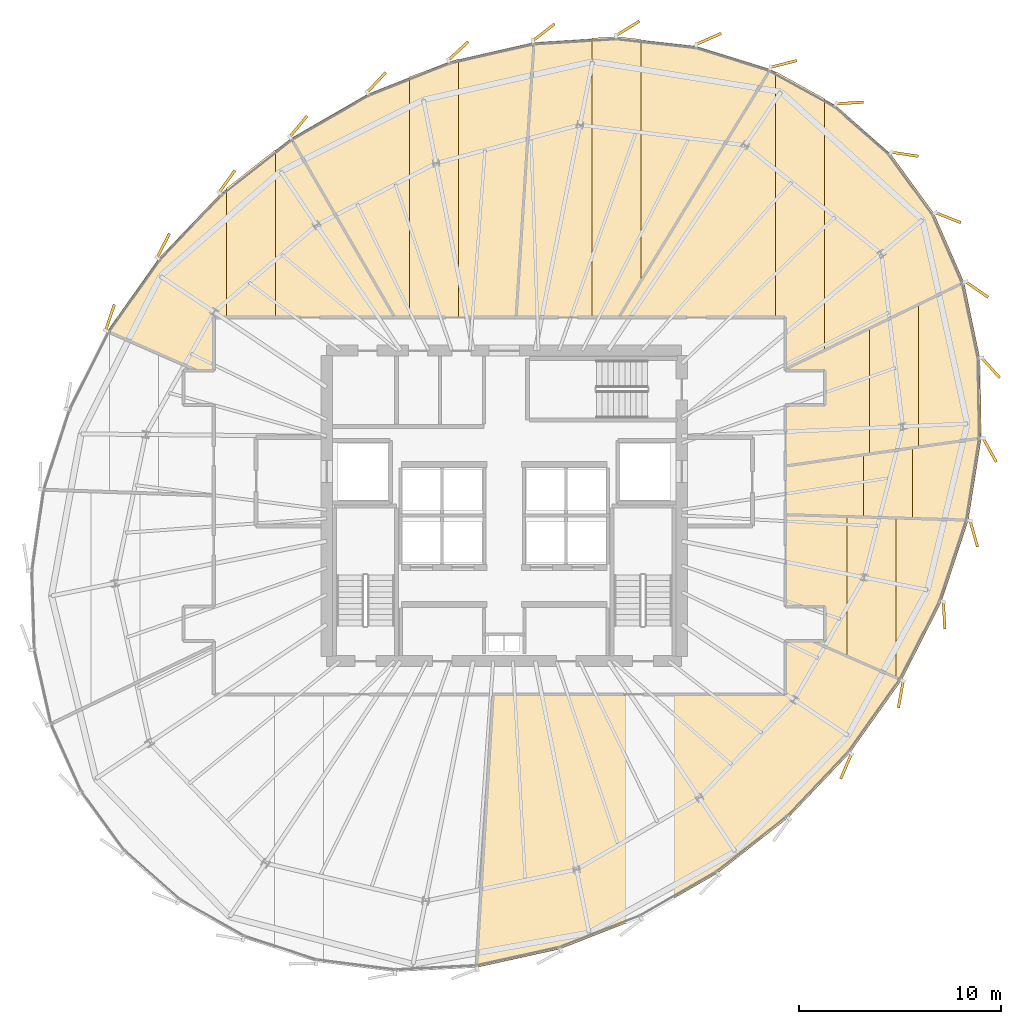
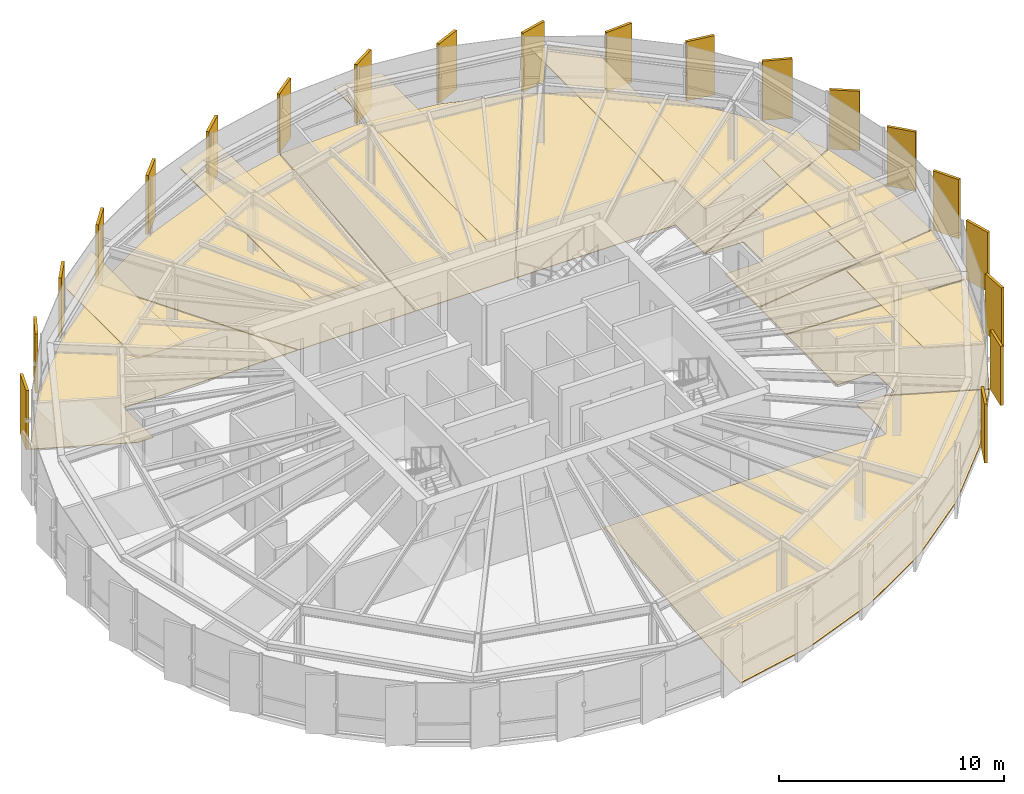
# One storey, part 35 of 35: 35 coverings.
"""IFC4 building model written with IfcOpenShell, lengths in metres."""

from ifc_helpers import new_model, si_unit, direction, frame, origin, origin_2d, place, context, subcontext, project, spatial, polyline, rectangle, outline, extrude, source, transform, mapped, material, layer, layer_set, type_object, element, save


model = new_model("IFC4")

# Units and contexts
model_context = context("Model", 3, precision=1e-05, world=origin(), true_north=direction((0.0, 1.0)))
body_context = subcontext(model_context, "Body", "Model", "MODEL_VIEW")
ifc_project = project(units=[si_unit("LENGTHUNIT", "METRE"), si_unit("AREAUNIT", "SQUARE_METRE"), si_unit("VOLUMEUNIT", "CUBIC_METRE"), si_unit("PLANEANGLEUNIT", "RADIAN"), si_unit("MASSUNIT", "GRAM", prefix="KILO"), si_unit("THERMODYNAMICTEMPERATUREUNIT", "KELVIN")], contexts=[model_context])

# Site, building, storey
site_placement = place(None, origin())
site = spatial("IfcSite", under=ifc_project, at=site_placement, CompositionType="ELEMENT")
building_placement = place(site_placement, origin())
building = spatial("IfcBuilding", under=site, at=building_placement, Name="Kethvar Cultural Tower", CompositionType="ELEMENT")
storey_placement = place(building_placement, frame((0.0, 0.0, 204.39990234375)))
storey = spatial("IfcBuildingStorey", under=building, at=storey_placement, Name="L53", CompositionType="ELEMENT", Elevation=204.39990234375)

# Coverings
ifc_material_1 = material(Name="Acoustic Mineral Fibre Ceiling")
ifc_layer_1 = layer(ifc_material_1, 0.0400390625, Name="Acoustic Mineral Fibre Ceiling")
ifc_layer_set_1 = layer_set([ifc_layer_1], Name="Acoustic Mineral Fibre Ceiling (40 mm)")
covering_type_1 = type_object("IfcCoveringType", Name="CV-ACOUSTIC-CEIL", PredefinedType="CEILING", material=ifc_layer_set_1)
covering_1_placement = place(storey_placement, frame((0.0, 0.0, 2.4501953125)))
element("IfcCovering", 1, at=covering_1_placement, inside=storey, type_object=covering_type_1, Name="L53 Room 03 Acoustic Ceiling Panel", PredefinedType="CEILING", context=body_context, shape_type="SweptSolid", body=[
    extrude(outline(polyline([(63.804443359375, 20.31640625), (63.804443359375, 27.284912109375), (66.234375, 27.20849609375), (66.234375, 19.25), (63.804443359375, 20.31640625)])), origin(), (0.0, 0.0, 1.0), 0.039794921875),
])
covering_2_placement = place(storey_placement, frame((0.0, 0.0, 2.4501953125)))
element("IfcCovering", 2, at=covering_2_placement, inside=storey, type_object=covering_type_1, Name="L53 Room 04 Acoustic Ceiling Panel", PredefinedType="CEILING", context=body_context, shape_type="SweptSolid", body=[
    extrude(outline(polyline([(64.62451171875, 27.21923828125), (64.62451171875, 30.343017578125), (67.0546875, 30.68701171875), (67.0546875, 27.142578125), (64.62451171875, 27.21923828125)])), origin(), (0.0, 0.0, 1.0), 0.039794921875),
])
covering_3_placement = place(storey_placement, frame((0.0, 0.0, 2.4501953125)))
element("IfcCovering", 3, at=covering_3_placement, inside=storey, type_object=covering_type_1, Name="L53 Room 05 Acoustic Ceiling Panel", PredefinedType="CEILING", context=body_context, shape_type="SweptSolid", body=[
    extrude(outline(polyline([(64.901611328125, 30.341796875), (64.901611328125, 36.61474609375), (67.331787109375, 37.795166015625), (67.331787109375, 30.685791015625), (64.901611328125, 30.341796875)])), origin(), (0.0, 0.0, 1.0), 0.039794921875),
])
covering_4_placement = place(storey_placement, frame((0.0, 0.0, 2.4501953125)))
element("IfcCovering", 4, at=covering_4_placement, inside=storey, type_object=covering_type_1, Name="L53 Room 06 Acoustic Ceiling Panel", PredefinedType="CEILING", context=body_context, shape_type="SweptSolid", body=[
    extrude(outline(polyline([(60.7587890625, 34.55810546875), (60.72998046875, 37.1298828125), (60.2421875, 37.1298828125), (60.2421875, 49.339599609375), (62.672119140625, 47.993896484375), (62.672119140625, 35.4873046875), (60.7587890625, 34.55810546875)])), origin(), (0.0, 0.0, 1.0), 0.039794921875),
])
covering_5_placement = place(storey_placement, frame((0.0, 0.0, 2.4501953125)))
element("IfcCovering", 5, at=covering_5_placement, inside=storey, type_object=covering_type_1, Name="L53 Room 07 Acoustic Ceiling Panel", PredefinedType="CEILING", context=body_context, shape_type="SweptSolid", body=[
    extrude(outline(polyline([(52.362060546875, 51.0634765625), (53.5751953125, 50.927734375), (53.5751953125, 38.90185546875), (52.498046875, 37.1337890625), (51.145263671875, 37.1298828125), (51.145263671875, 50.987060546875), (52.362060546875, 51.0634765625)])), origin(), (0.0, 0.0, 1.0), 0.039794921875),
])
covering_6_placement = place(storey_placement, frame((0.0, 0.0, 2.4501953125)))
element("IfcCovering", 6, at=covering_6_placement, inside=storey, type_object=covering_type_1, Name="L53 Room 08 Acoustic Ceiling Panel", PredefinedType="CEILING", context=body_context, shape_type="SweptSolid", body=[
    extrude(outline(polyline([(42.10107421875, 49.06982421875), (44.531005859375, 49.95751953125), (44.531005859375, 37.1298828125), (42.10107421875, 37.1298828125), (42.10107421875, 49.06982421875)])), origin(), (0.0, 0.0, 1.0), 0.039794921875),
])
covering_7_placement = place(storey_placement, frame((0.0, 0.0, 2.4501953125)))
element("IfcCovering", 7, at=covering_7_placement, inside=storey, type_object=covering_type_1, Name="L53 Room 09 Acoustic Ceiling Panel", PredefinedType="CEILING", context=body_context, shape_type="SweptSolid", body=[
    extrude(outline(polyline([(35.466064453125, 45.46240234375), (35.466064453125, 37.1298828125), (33.0361328125, 37.1298828125), (33.0361328125, 43.550048828125), (35.466064453125, 45.46240234375)])), origin(), (0.0, 0.0, 1.0), 0.039794921875),
])
ifc_material_2 = material(Name="Honed Warm Limestone", Category="masonry")
ifc_layer_2 = layer(ifc_material_2, 0.030029296875, Name="Honed Warm Limestone", Category="masonry")
ifc_layer_set_2 = layer_set([ifc_layer_2], Name="Honed Warm Limestone (30 mm)")
covering_type_2 = type_object("IfcCoveringType", Name="CV-STONE-FLOOR", PredefinedType="FLOORING", material=ifc_layer_set_2)
covering_8_placement = place(storey_placement, origin())
element("IfcCovering", 8, at=covering_8_placement, inside=storey, type_object=covering_type_2, Name="L53 Room 02 Floor Finish", PredefinedType="FLOORING", context=body_context, shape_type="SweptSolid", body=[
    extrude(outline(polyline([(63.933349609375, 15.55908203125), (60.86767578125, 12.33984375), (57.3779296875, 9.593994140625), (53.56689453125, 7.401611328125), (49.55029296875, 5.8291015625), (45.474365234375, 4.9296875), (46.268798828125, 18.429931640625), (60.75390625, 18.430419921875), (60.77001953125, 21.080078125), (62.064208984375, 21.080078125), (66.47802734375, 19.143310546875), (63.933349609375, 15.55908203125)])), origin(), (0.0, 0.0, 1.0), 0.030029296875),
])
covering_9_placement = place(storey_placement, origin())
element("IfcCovering", 9, at=covering_9_placement, inside=storey, type_object=covering_type_2, Name="L53 Room 03 Floor Finish", PredefinedType="FLOORING", context=body_context, shape_type="SweptSolid", body=[
    extrude(outline(polyline([(68.466796875, 23.0419921875), (66.499267578125, 19.177490234375), (62.163818359375, 21.080078125), (62.718994140625, 21.09423828125), (62.715576171875, 22.812744140625), (60.77001953125, 22.820068359375), (60.77001953125, 27.340576171875), (69.791259765625, 27.056640625), (68.466796875, 23.0419921875)])), origin(), (0.0, 0.0, 1.0), 0.030029296875),
])
covering_10_placement = place(storey_placement, origin())
element("IfcCovering", 10, at=covering_10_placement, inside=storey, type_object=covering_type_2, Name="L53 Room 04 Floor Finish", PredefinedType="FLOORING", context=body_context, shape_type="SweptSolid", body=[
    extrude(outline(polyline([(69.8017578125, 27.09619140625), (60.77001953125, 27.380615234375), (60.77001953125, 29.757080078125), (70.439697265625, 31.125732421875), (69.8017578125, 27.09619140625)])), origin(), (0.0, 0.0, 1.0), 0.030029296875),
])
covering_11_placement = place(storey_placement, origin())
element("IfcCovering", 11, at=covering_11_placement, inside=storey, type_object=covering_type_2, Name="L53 Room 05 Floor Finish", PredefinedType="FLOORING", context=body_context, shape_type="SweptSolid", body=[
    extrude(outline(polyline([(70.375, 35.123779296875), (70.443603515625, 31.166748046875), (60.77001953125, 29.797607421875), (60.77001953125, 32.780029296875), (62.719970703125, 32.800048828125), (62.712646484375, 34.515380859375), (60.77001953125, 34.5634765625), (69.593505859375, 38.849365234375), (70.375, 35.123779296875)])), origin(), (0.0, 0.0, 1.0), 0.030029296875),
])
covering_12_placement = place(storey_placement, origin())
element("IfcCovering", 12, at=covering_12_placement, inside=storey, type_object=covering_type_2, Name="L53 Room 06 Floor Finish", PredefinedType="FLOORING", context=body_context, shape_type="SweptSolid", body=[
    extrude(outline(polyline([(69.581787109375, 38.88818359375), (60.77001953125, 34.60791015625), (60.755859375, 37.169189453125), (52.522216796875, 37.169921875), (59.98291015625, 49.437255859375), (63.21826171875, 47.645751953125), (65.9580078125, 45.232421875), (68.102783203125, 42.277587890625), (69.581787109375, 38.88818359375)])), origin(), (0.0, 0.0, 1.0), 0.030029296875),
])
covering_13_placement = place(storey_placement, origin())
element("IfcCovering", 13, at=covering_13_placement, inside=storey, type_object=covering_type_2, Name="L53 Room 07 Floor Finish", PredefinedType="FLOORING", context=body_context, shape_type="SweptSolid", body=[
    extrude(outline(polyline([(52.361083984375, 51.0234375), (56.309814453125, 50.581298828125), (59.9453125, 49.45263671875), (52.475341796875, 37.169921875), (47.4091796875, 37.169921875), (48.26416015625, 50.765869140625), (52.361083984375, 51.0234375)])), origin(), (0.0, 0.0, 1.0), 0.030029296875),
])
covering_14_placement = place(storey_placement, origin())
element("IfcCovering", 14, at=covering_14_placement, inside=storey, type_object=covering_type_2, Name="L53 Room 08 Floor Finish", PredefinedType="FLOORING", context=body_context, shape_type="SweptSolid", body=[
    extrude(outline(polyline([(40.053466796875, 48.216796875), (44.10205078125, 49.818603515625), (48.2236328125, 50.75927734375), (47.369140625, 37.169921875), (41.381103515625, 37.169921875), (36.241943359375, 46.0185546875), (40.053466796875, 48.216796875)])), origin(), (0.0, 0.0, 1.0), 0.030029296875),
])
covering_15_placement = place(storey_placement, origin())
element("IfcCovering", 15, at=covering_15_placement, inside=storey, type_object=covering_type_2, Name="L53 Room 09 Floor Finish", PredefinedType="FLOORING", context=body_context, shape_type="SweptSolid", body=[
    extrude(outline(polyline([(29.67041015625, 40.04443359375), (32.732421875, 43.260009765625), (36.208740234375, 45.995849609375), (41.3349609375, 37.169921875), (32.394287109375, 37.169189453125), (32.3798828125, 34.52001953125), (31.583984375, 34.52001953125), (27.142333984375, 36.475341796875), (29.67041015625, 40.04443359375)])), origin(), (0.0, 0.0, 1.0), 0.030029296875),
])
ifc_material_3 = material(Name="Extruded Architectural Terracotta", Category="masonry")
ifc_layer_3 = layer(ifc_material_3, 0.135009765625, Name="Extruded Architectural Terracotta", Category="masonry")
ifc_layer_set_3 = layer_set([ifc_layer_3], Name="Extruded Architectural Terracotta (135 mm)")
covering_type_3 = type_object("IfcCoveringType", Name="Terracotta Facade Fin FIN-03", PredefinedType="CLADDING", material=ifc_layer_set_3)
shared_shape = source(origin(), body_context, "Body", "SweptSolid", [
    extrude(rectangle(XDim=1.35009765625, YDim=0.135009765625, at=origin_2d()), origin(), (0.0, 0.0, 1.0), 3.219970703125),
])
for number, where, z_axis, x_axis, name in (
    (16, (66.663818359375, 45.231201171875, 0.02001953125), (0.0, 0.0, 1.0), (0.988808518489, -0.149190193254, 0.0), "L53 Vertical Terracotta Fin 1.1"),
    (17, (63.9423828125, 47.773681640625, 0.02001953125), (0.0, 0.0, 1.0), (0.998102696661, 0.061571153301, 0.0), "L53 Vertical Terracotta Fin 1.2"),
    (18, (60.6533203125, 49.708251953125, 0.02001953125), (0.0, 0.0, 1.0), (0.968583161129, 0.248689887165, 0.0), "L53 Vertical Terracotta Fin 1.3"),
    (19, (56.940673828125, 50.952392578125, 0.02001953125), (0.0, 0.0, 1.0), (0.915311479119, 0.402746689859, 0.0), "L53 Vertical Terracotta Fin 1.4"),
    (20, (52.931884765625, 51.476318359375, 0.02001953125), (0.0, 0.0, 1.0), (0.852275183789, 0.523093692466, 0.0), "L53 Vertical Terracotta Fin 1.5"),
    (21, (48.760498046875, 51.276611328125, 0.02001953125), (0.0, 0.0, 1.0), (0.789941019319, 0.613182832438, 0.0), "L53 Vertical Terracotta Fin 1.6"),
    (22, (44.52587890625, 50.356201171875, 0.02001953125), (0.0, 0.0, 1.0), (0.734085518544, 0.679057031084, 0.0), "L53 Vertical Terracotta Fin 2.1"),
    (23, (40.466796875, 48.79638671875, 0.02001953125), (0.0, 0.0, 1.0), (0.684419866476, 0.729088092327, 0.0), "L53 Vertical Terracotta Fin 2.2"),
    (24, (36.595703125, 46.6083984375, 0.02001953125), (0.0, 0.0, 1.0), (0.638096146601, 0.769956692089, 0.0), "L53 Vertical Terracotta Fin 2.3"),
    (25, (33.0537109375, 43.87890625, 0.02001953125), (0.0, 0.0, 1.0), (0.581981048437, 0.813202348287, 0.0), "L53 Vertical Terracotta Fin 2.4"),
    (26, (29.8994140625, 40.703125, 0.02001953125), (0.0, 0.0, 1.0), (0.458804640463, 0.888537169673, 0.0), "L53 Vertical Terracotta Fin 2.5"),
    (27, (27.2578125, 37.14208984375, 0.02001953125), (0.0, 0.0, 1.0), (0.321935232675, 0.946761694389, 0.0), "L53 Vertical Terracotta Fin 2.6"),
    (28, (63.747802734375, 14.8798828125, 0.02001953125), (0.0, 0.0, 1.0), (-0.394583491055, -0.918860091955, 0.0), "L53 Vertical Terracotta Fin 5.5"),
    (29, (66.460693359375, 18.450927734375, 0.02001953125), (0.0, 0.0, 1.0), (-0.176397599067, -0.984318996588, 0.0), "L53 Vertical Terracotta Fin 5.6"),
    (30, (68.60888671875, 22.372314453125, 0.02001953125), (0.0, 0.0, 1.0), (0.052161661713, -0.998638653892, 0.0), "L53 Vertical Terracotta Fin 6.1"),
    (31, (70.083251953125, 26.414306640625, 0.02001953125), (0.0, 0.0, 1.0), (0.27479839189, -0.961501868857, 0.0), "L53 Vertical Terracotta Fin 6.2"),
    (32, (70.8701171875, 30.56005859375, 0.02001953125), (0.0, 0.0, 1.0), (0.483587948575, -0.875295776291, 0.0), "L53 Vertical Terracotta Fin 6.3"),
    (33, (70.9248046875, 34.640625, 0.02001953125), (0.0, 0.0, 1.0), (0.668871159118, -0.743378350842, 0.0), "L53 Vertical Terracotta Fin 6.4"),
    (34, (70.235595703125, 38.525390625, 0.02001953125), (0.0, 0.0, 1.0), (0.821248804935, -0.570570241419, 0.0), "L53 Vertical Terracotta Fin 6.5"),
    (35, (68.81298828125, 42.087158203125, 0.02001953125), (0.0, 0.0, 1.0), (0.930289578238, -0.366825981389, 0.0), "L53 Vertical Terracotta Fin 6.6"),
):
    element("IfcCovering", number, at=place(storey_placement, frame(where, z_axis=z_axis, x_axis=x_axis)), inside=storey, type_object=covering_type_3, Name=name, PredefinedType="CLADDING", context=body_context, shape_type="MappedRepresentation", body=[
        mapped(shared_shape, transform((0.0, 0.0, 0.0), scale=1.0)),
    ])

save(model, "model.ifc")
